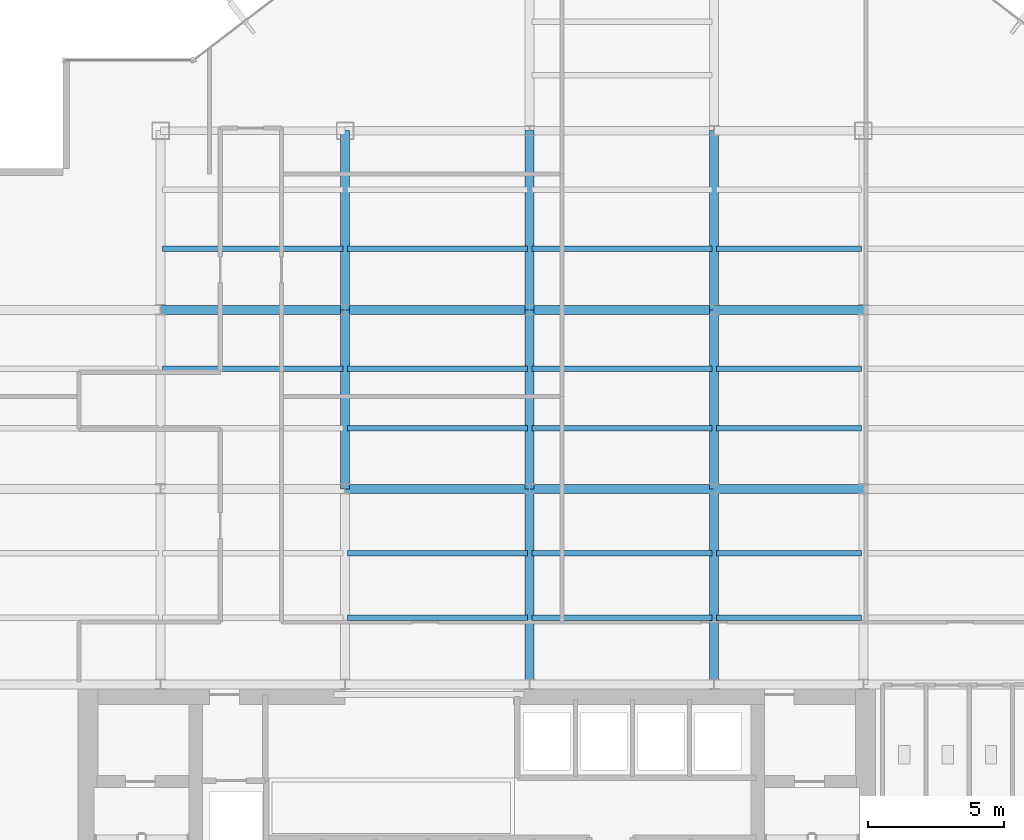
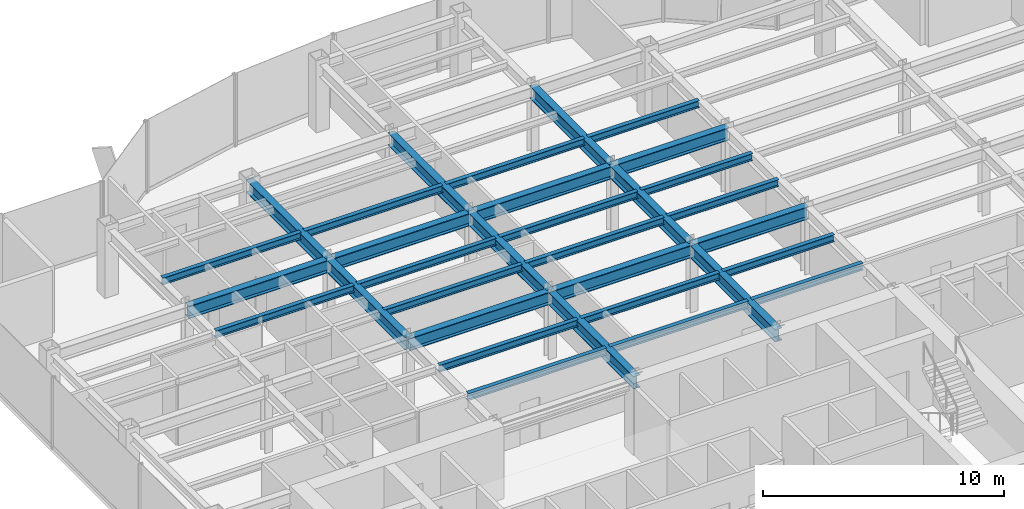
# One storey, part 8 of 25: 32 beams.
"""IFC4 building model written with IfcOpenShell, lengths in metres."""

from ifc_helpers import new_model, si_unit, derived_unit, direction, frame, origin, origin_2d, place, context, subcontext, project, spatial, i_section, extrude, source, transform, mapped, material, material_profile, profile_set, type_object, element, save


model = new_model("IFC4")

# Units and contexts
model_context = context("Model", 3, precision=1e-05, world=origin(), true_north=direction((0.0, 1.0)))
body_context = subcontext(model_context, "Body", "Model", "MODEL_VIEW")
ifc_project = project(units=[si_unit("LENGTHUNIT", "METRE"), si_unit("AREAUNIT", "SQUARE_METRE"), si_unit("VOLUMEUNIT", "CUBIC_METRE"), si_unit("PLANEANGLEUNIT", "RADIAN"), si_unit("MASSUNIT", "GRAM", prefix="KILO"), derived_unit("THERMALTRANSMITTANCEUNIT", [(si_unit("POWERUNIT", "WATT"), 1), (si_unit("LENGTHUNIT", "METRE"), -2), (si_unit("THERMODYNAMICTEMPERATUREUNIT", "KELVIN"), -1)])], contexts=[model_context])

# Site, building, storey
site_placement = place(None, origin())
site = spatial("IfcSite", under=ifc_project, at=site_placement, CompositionType="ELEMENT")
building_placement = place(site_placement, origin())
building = spatial("IfcBuilding", under=site, at=building_placement, Name="Skarnbrae Concourse Arena and Tower", CompositionType="ELEMENT")
storey_placement = place(building_placement, frame((0.0, 0.0, 155.199951171875)))
storey = spatial("IfcBuildingStorey", under=building, at=storey_placement, Name="L39", CompositionType="ELEMENT", Elevation=155.199951171875)

# Beams
ifc_material = material(Name="Steel CSA G40.21 350W", Category="steel")
ifc_material_profile_1 = material_profile(ifc_material, i_section(OverallWidth=0.3291015625, OverallDepth=0.635009765625, WebThickness=0.017822265625, FlangeThickness=0.031005859375, at=origin_2d()), Name="W610X241")
ifc_profile_set_1 = profile_set([ifc_material_profile_1], Name="Steel CSA G40.21 350W")
beam_type_1 = type_object("IfcBeamType", Name="BM-GIRD-W610X241", PredefinedType="BEAM", material=ifc_profile_set_1)
shared_shape_1 = source(origin(), body_context, "Body", "SweptSolid", [
    extrude(i_section(OverallWidth=0.3291015625, OverallDepth=0.635009765625, WebThickness=0.017822265625, FlangeThickness=0.031005859375, at=origin_2d()), origin(), (0.0, 0.0, 1.0), 6.60009765625),
])
for number, where, z_axis, x_axis, name in (
    (1, (14.39990234375, 21.199951171875, 3.08251953125), (0.0, 1.0, 0.0), (-1.0, 0.0, 0.0), "L39 Primary N-S girder X14.4-2"),
    (2, (21.199951171875, 21.199951171875, 3.08251953125), (0.0, 1.0, 0.0), (-1.0, 0.0, 0.0), "L39 Primary N-S girder X21.2-2"),
    (3, (28.0, 21.199951171875, 3.08251953125), (0.0, 1.0, 0.0), (-1.0, 0.0, 0.0), "L39 Primary N-S girder X28.0-2"),
):
    element("IfcBeam", number, at=place(storey_placement, frame(where, z_axis=z_axis, x_axis=x_axis)), inside=storey, type_object=beam_type_1, Name=name, PredefinedType="BEAM", context=body_context, shape_type="MappedRepresentation", body=[
        mapped(shared_shape_1, transform((0.0, 0.0, 0.0))),
    ])
shared_shape_2 = source(origin(), body_context, "Body", "SweptSolid", [
    extrude(i_section(OverallWidth=0.3291015625, OverallDepth=0.635009765625, WebThickness=0.017822265625, FlangeThickness=0.031005859375, at=origin_2d()), origin(), (0.0, 0.0, 1.0), 6.7998046875),
])
beam_placement = place(storey_placement, frame((7.60009765625, 27.800048828125, 3.08251953125), z_axis=(1.0, 0.0, 0.0), x_axis=(0.0, 1.0, 0.0)))
element("IfcBeam", 4, at=beam_placement, inside=storey, type_object=beam_type_1, Name="L39 Primary E-W girder Y27.8-2", PredefinedType="BEAM", context=body_context, shape_type="MappedRepresentation", body=[
    mapped(shared_shape_2, transform((0.0, 0.0, 0.0))),
])
shared_shape_3 = source(origin(), body_context, "Body", "SweptSolid", [
    extrude(i_section(OverallWidth=0.3291015625, OverallDepth=0.635009765625, WebThickness=0.017822265625, FlangeThickness=0.031005859375, at=origin_2d()), origin(), (0.0, 0.0, 1.0), 6.800048828125),
])
for number, where, z_axis, x_axis, name in (
    (5, (14.39990234375, 21.199951171875, 3.08251953125), (1.0, 0.0, 0.0), (0.0, 1.0, 0.0), "L39 Primary E-W girder Y21.2-3"),
    (6, (21.199951171875, 21.199951171875, 3.08251953125), (1.0, 0.0, 0.0), (0.0, 1.0, 0.0), "L39 Primary E-W girder Y21.2-4"),
    (7, (14.39990234375, 27.800048828125, 3.08251953125), (1.0, 0.0, 0.0), (0.0, 1.0, 0.0), "L39 Primary E-W girder Y27.8-3"),
    (8, (21.199951171875, 27.800048828125, 3.08251953125), (1.0, 0.0, 0.0), (0.0, 1.0, 0.0), "L39 Primary E-W girder Y27.8-4"),
):
    element("IfcBeam", number, at=place(storey_placement, frame(where, z_axis=z_axis, x_axis=x_axis)), inside=storey, type_object=beam_type_1, Name=name, PredefinedType="BEAM", context=body_context, shape_type="MappedRepresentation", body=[
        mapped(shared_shape_3, transform((0.0, 0.0, 0.0))),
    ])
shared_shape_4 = source(origin(), body_context, "Body", "SweptSolid", [
    extrude(i_section(OverallWidth=0.3291015625, OverallDepth=0.635009765625, WebThickness=0.017822265625, FlangeThickness=0.031005859375, at=origin_2d()), origin(), (0.0, 0.0, 1.0), 5.5),
])
for number, where, z_axis, x_axis, name in (
    (9, (28.0, 21.199951171875, 3.08251953125), (1.0, 0.0, 0.0), (0.0, 1.0, 0.0), "L39 Primary E-W girder Y21.2-5"),
    (10, (28.0, 27.800048828125, 3.08251953125), (1.0, 0.0, 0.0), (0.0, 1.0, 0.0), "L39 Primary E-W girder Y27.8-5"),
):
    element("IfcBeam", number, at=place(storey_placement, frame(where, z_axis=z_axis, x_axis=x_axis)), inside=storey, type_object=beam_type_1, Name=name, PredefinedType="BEAM", context=body_context, shape_type="MappedRepresentation", body=[
        mapped(shared_shape_4, transform((0.0, 0.0, 0.0))),
    ])
shared_shape_5 = source(origin(), body_context, "Body", "SweptSolid", [
    extrude(i_section(OverallWidth=0.3291015625, OverallDepth=0.635009765625, WebThickness=0.017822265625, FlangeThickness=0.031005859375, at=origin_2d()), origin(), (0.0, 0.0, 1.0), 7.199951171875),
])
for number, where, z_axis, x_axis, name in (
    (11, (21.199951171875, 14.0, 3.08251953125), (0.0, 1.0, 0.0), (-1.0, 0.0, 0.0), "L39 Primary N-S girder X21.2-1"),
    (12, (28.0, 14.0, 3.08251953125), (0.0, 1.0, 0.0), (-1.0, 0.0, 0.0), "L39 Primary N-S girder X28.0-1"),
):
    element("IfcBeam", number, at=place(storey_placement, frame(where, z_axis=z_axis, x_axis=x_axis)), inside=storey, type_object=beam_type_1, Name=name, PredefinedType="BEAM", context=body_context, shape_type="MappedRepresentation", body=[
        mapped(shared_shape_5, transform((0.0, 0.0, 0.0))),
    ])
shared_shape_6 = source(origin(), body_context, "Body", "SweptSolid", [
    extrude(i_section(OverallWidth=0.3291015625, OverallDepth=0.635009765625, WebThickness=0.017822265625, FlangeThickness=0.031005859375, at=origin_2d()), origin(), (0.0, 0.0, 1.0), 6.599853515625),
])
for number, where, z_axis, x_axis, name in (
    (13, (14.39990234375, 27.800048828125, 3.08251953125), (0.0, 1.0, 0.0), (-1.0, 0.0, 0.0), "L39 Primary N-S girder X14.4-3"),
    (14, (21.199951171875, 27.800048828125, 3.08251953125), (0.0, 1.0, 0.0), (-1.0, 0.0, 0.0), "L39 Primary N-S girder X21.2-3"),
    (15, (28.0, 27.800048828125, 3.08251953125), (0.0, 1.0, 0.0), (-1.0, 0.0, 0.0), "L39 Primary N-S girder X28.0-3"),
):
    element("IfcBeam", number, at=place(storey_placement, frame(where, z_axis=z_axis, x_axis=x_axis)), inside=storey, type_object=beam_type_1, Name=name, PredefinedType="BEAM", context=body_context, shape_type="MappedRepresentation", body=[
        mapped(shared_shape_6, transform((0.0, 0.0, 0.0))),
    ])
ifc_material_profile_2 = material_profile(ifc_material, i_section(OverallWidth=0.205078125, OverallDepth=0.35400390625, WebThickness=0.009521484375, FlangeThickness=0.016845703125, at=origin_2d()), Name="W360X79")
ifc_profile_set_2 = profile_set([ifc_material_profile_2], Name="Steel CSA G40.21 350W")
beam_type_2 = type_object("IfcBeamType", Name="BM-JOIST-W360X79", PredefinedType="JOIST", material=ifc_profile_set_2)
shared_shape_7 = source(origin(), body_context, "Body", "SweptSolid", [
    extrude(i_section(OverallWidth=0.205078125, OverallDepth=0.35400390625, WebThickness=0.009521484375, FlangeThickness=0.016845703125, at=origin_2d()), origin(), (0.0, 0.0, 1.0), 6.64013671875),
])
for number, where, z_axis, x_axis, name in (
    (16, (14.47998046875, 16.447998046875, 3.22314453125), (1.0, 0.0, 0.0), (0.0, 1.0, 0.0), "L39 Secondary floor joist 1.1.3"),
    (17, (14.47998046875, 18.823974609375, 3.22314453125), (1.0, 0.0, 0.0), (0.0, 1.0, 0.0), "L39 Secondary floor joist 1.2.3"),
    (18, (14.47998046875, 23.444091796875, 3.22314453125), (1.0, 0.0, 0.0), (0.0, 1.0, 0.0), "L39 Secondary floor joist 2.1.3"),
    (19, (7.679931640625, 25.6220703125, 3.22314453125), (1.0, 0.0, 0.0), (0.0, 1.0, 0.0), "L39 Secondary floor joist 2.2.2"),
    (20, (14.47998046875, 25.6220703125, 3.22314453125), (1.0, 0.0, 0.0), (0.0, 1.0, 0.0), "L39 Secondary floor joist 2.2.3"),
    (21, (7.679931640625, 30.0439453125, 3.22314453125), (1.0, 0.0, 0.0), (0.0, 1.0, 0.0), "L39 Secondary floor joist 3.1.1"),
    (22, (14.47998046875, 30.0439453125, 3.22314453125), (1.0, 0.0, 0.0), (0.0, 1.0, 0.0), "L39 Secondary floor joist 3.1.2"),
):
    element("IfcBeam", number, at=place(storey_placement, frame(where, z_axis=z_axis, x_axis=x_axis)), inside=storey, type_object=beam_type_2, Name=name, PredefinedType="JOIST", context=body_context, shape_type="MappedRepresentation", body=[
        mapped(shared_shape_7, transform((0.0, 0.0, 0.0))),
    ])
shared_shape_8 = source(origin(), body_context, "Body", "SweptSolid", [
    extrude(i_section(OverallWidth=0.205078125, OverallDepth=0.35400390625, WebThickness=0.009521484375, FlangeThickness=0.016845703125, at=origin_2d()), origin(), (0.0, 0.0, 1.0), 6.639892578125),
])
for number, where, z_axis, x_axis, name in (
    (23, (21.280029296875, 16.447998046875, 3.22314453125), (1.0, 0.0, 0.0), (0.0, 1.0, 0.0), "L39 Secondary floor joist 1.1.4"),
    (24, (21.280029296875, 18.823974609375, 3.22314453125), (1.0, 0.0, 0.0), (0.0, 1.0, 0.0), "L39 Secondary floor joist 1.2.4"),
    (25, (21.280029296875, 23.444091796875, 3.22314453125), (1.0, 0.0, 0.0), (0.0, 1.0, 0.0), "L39 Secondary floor joist 2.1.4"),
    (26, (21.280029296875, 25.6220703125, 3.22314453125), (1.0, 0.0, 0.0), (0.0, 1.0, 0.0), "L39 Secondary floor joist 2.2.4"),
    (27, (21.280029296875, 30.0439453125, 3.22314453125), (1.0, 0.0, 0.0), (0.0, 1.0, 0.0), "L39 Secondary floor joist 3.1.3"),
):
    element("IfcBeam", number, at=place(storey_placement, frame(where, z_axis=z_axis, x_axis=x_axis)), inside=storey, type_object=beam_type_2, Name=name, PredefinedType="JOIST", context=body_context, shape_type="MappedRepresentation", body=[
        mapped(shared_shape_8, transform((0.0, 0.0, 0.0))),
    ])
shared_shape_9 = source(origin(), body_context, "Body", "SweptSolid", [
    extrude(i_section(OverallWidth=0.205078125, OverallDepth=0.35400390625, WebThickness=0.009521484375, FlangeThickness=0.016845703125, at=origin_2d()), origin(), (0.0, 0.0, 1.0), 5.33984375),
])
for number, where, z_axis, x_axis, name in (
    (28, (28.080078125, 16.447998046875, 3.22314453125), (1.0, 0.0, 0.0), (0.0, 1.0, 0.0), "L39 Secondary floor joist 1.1.5"),
    (29, (28.080078125, 18.823974609375, 3.22314453125), (1.0, 0.0, 0.0), (0.0, 1.0, 0.0), "L39 Secondary floor joist 1.2.5"),
    (30, (28.080078125, 23.444091796875, 3.22314453125), (1.0, 0.0, 0.0), (0.0, 1.0, 0.0), "L39 Secondary floor joist 2.1.5"),
    (31, (28.080078125, 25.6220703125, 3.22314453125), (1.0, 0.0, 0.0), (0.0, 1.0, 0.0), "L39 Secondary floor joist 2.2.5"),
    (32, (28.080078125, 30.0439453125, 3.22314453125), (1.0, 0.0, 0.0), (0.0, 1.0, 0.0), "L39 Secondary floor joist 3.1.4"),
):
    element("IfcBeam", number, at=place(storey_placement, frame(where, z_axis=z_axis, x_axis=x_axis)), inside=storey, type_object=beam_type_2, Name=name, PredefinedType="JOIST", context=body_context, shape_type="MappedRepresentation", body=[
        mapped(shared_shape_9, transform((0.0, 0.0, 0.0))),
    ])

save(model, "model.ifc")
